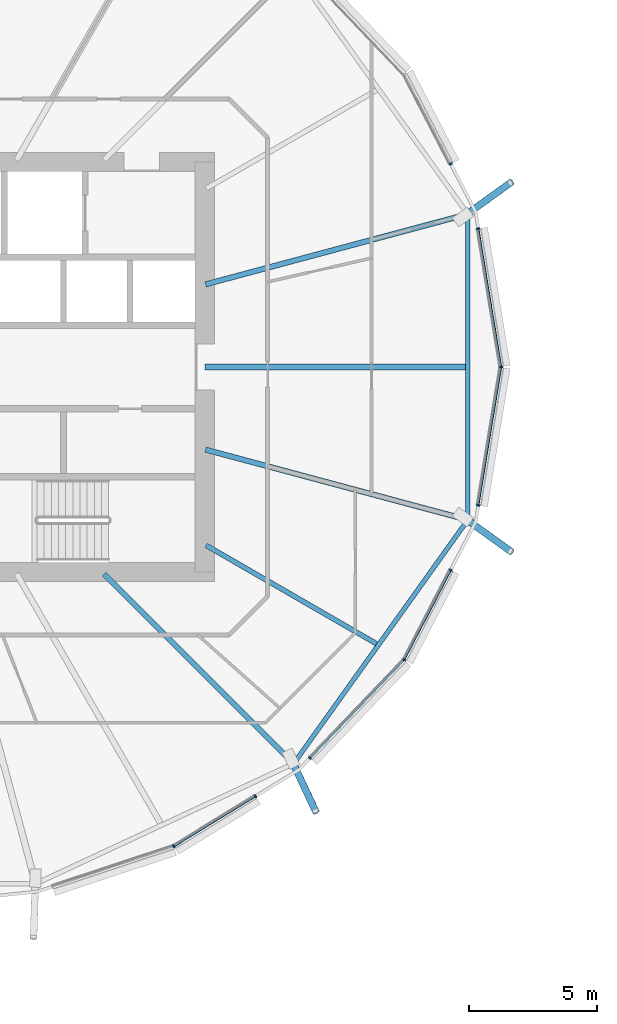
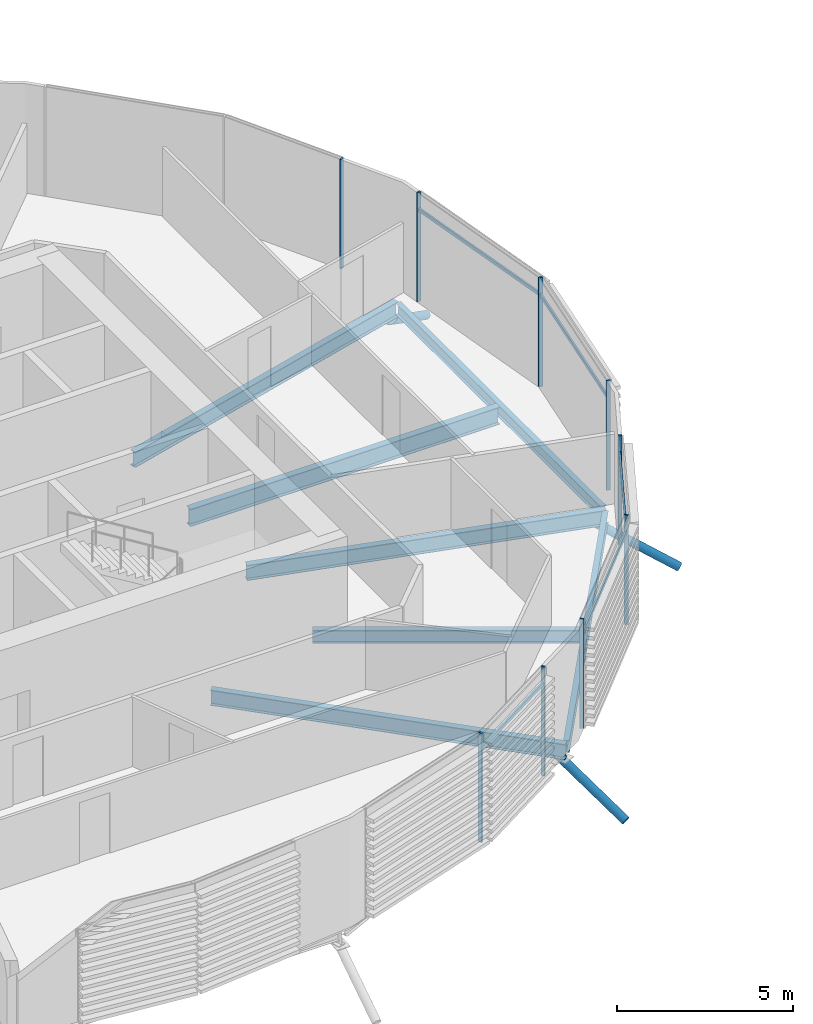
# One storey, part 7 of 39: 17 members, 7 beams, 1 element without a shape of its own.
"""IFC4 building model written with IfcOpenShell, lengths in metres."""

from ifc_helpers import new_model, si_unit, direction, frame, origin, origin_2d, place, context, subcontext, project, spatial, rectangle, hollow_circle, i_section, extrude, clip, halfspace, material, material_profile, profile_set, type_object, element, aggregate, save


model = new_model("IFC4")

# Units and contexts
model_context = context("Model", 3, precision=1e-05, world=origin(), true_north=direction((0.0, 1.0)))
body_context = subcontext(model_context, "Body", "Model", "MODEL_VIEW")
ifc_project = project(units=[si_unit("LENGTHUNIT", "METRE"), si_unit("AREAUNIT", "SQUARE_METRE"), si_unit("VOLUMEUNIT", "CUBIC_METRE"), si_unit("PLANEANGLEUNIT", "RADIAN"), si_unit("MASSUNIT", "GRAM", prefix="KILO")], contexts=[model_context])

# Site, building, storey
site_placement = place(None, origin())
site = spatial("IfcSite", under=ifc_project, at=site_placement, CompositionType="ELEMENT")
building_placement = place(site_placement, origin())
building = spatial("IfcBuilding", under=site, at=building_placement, Name="Rimbun Link Towers", CompositionType="ELEMENT")
storey_placement = place(building_placement, frame((0.0, 0.0, 96.800048828125)))
storey = spatial("IfcBuildingStorey", under=building, at=storey_placement, Name="L23", CompositionType="ELEMENT", Elevation=96.800048828125)

# Curtain wall, members
ifc_material_1 = material(Name="Aluminium 6063-T6 and low-iron glass", Category="aluminium")
curtain_wall_type = type_object("IfcCurtainWallType", Name="CW1-Z2 unitised vision wall (zone 2)", PredefinedType="NOTDEFINED", material=ifc_material_1)
curtain_wall_placement = place(storey_placement, origin())
curtain_wall = element("IfcCurtainWall", 1, at=curtain_wall_placement, inside=storey, type_object=curtain_wall_type, Name="CW1 L23 T1", PredefinedType="NOTDEFINED")
ifc_material_2 = material(Name="Aluminium 6063-T6", Category="aluminium")
ifc_material_profile_1 = material_profile(ifc_material_2, rectangle(XDim=0.1201171875, YDim=0.06005859375, at=origin_2d()), Name="MULLION 60X120")
ifc_profile_set_1 = profile_set([ifc_material_profile_1], Name="Aluminium 6063-T6")
member_type_1 = type_object("IfcMemberType", Name="CW1 mullion 60X120", PredefinedType="MULLION", material=ifc_profile_set_1)
member_1_placement = place(storey_placement, frame((-9.08251953125, 5.39794921875, 0.0), z_axis=(0.0, 0.0, 1.0), x_axis=(0.986748097792, 0.162259642251, 0.0)))
member_1 = element("IfcMember", 2, at=member_1_placement, type_object=member_type_1, Name="CW1 mullion", PredefinedType="MULLION", context=body_context, shape_type="SweptSolid", body=[
    extrude(rectangle(XDim=0.1201171875, YDim=0.06005859375, at=origin_2d()), origin(), (0.0, 0.0, 1.0), 3.800048828125),
])
member_2_placement = place(storey_placement, frame((-8.19580078125, 0.0, 0.0), z_axis=(0.0, 0.0, 1.0), x_axis=(1.0, 0.0, 0.0)))
member_2 = element("IfcMember", 3, at=member_2_placement, type_object=member_type_1, Name="CW1 mullion", PredefinedType="MULLION", context=body_context, shape_type="SweptSolid", body=[
    extrude(rectangle(XDim=0.1201171875, YDim=0.06005859375, at=origin_2d()), origin(), (0.0, 0.0, 1.0), 3.800048828125),
])
member_3_placement = place(storey_placement, frame((-10.158935546875, 7.92236328125, 0.0), z_axis=(0.0, 0.0, 1.0), x_axis=(0.888148629228, 0.45955632125, 0.0)))
member_3 = element("IfcMember", 4, at=member_3_placement, type_object=member_type_1, Name="CW1 mullion", PredefinedType="MULLION", context=body_context, shape_type="SweptSolid", body=[
    extrude(rectangle(XDim=0.1201171875, YDim=0.06005859375, at=origin_2d()), origin(), (0.0, 0.0, 1.0), 3.800048828125),
])
member_4_placement = place(storey_placement, frame((-20.959716796875, -18.699951171875, 0.0), z_axis=(0.0, 0.0, 1.0), x_axis=(0.421698890318, -0.906735929532, 0.0)))
member_4 = element("IfcMember", 5, at=member_4_placement, type_object=member_type_1, Name="CW1 mullion", PredefinedType="MULLION", context=body_context, shape_type="SweptSolid", body=[
    extrude(rectangle(XDim=0.1201171875, YDim=0.06005859375, at=origin_2d()), origin(), (0.0, 0.0, 1.0), 3.800048828125),
])
member_5_placement = place(storey_placement, frame((-17.775390625, -16.7451171875, 0.0), z_axis=(0.0, 0.0, 1.0), x_axis=(0.523239240316, -0.852185835011, 0.0)))
member_5 = element("IfcMember", 6, at=member_5_placement, type_object=member_type_1, Name="CW1 mullion", PredefinedType="MULLION", context=body_context, shape_type="SweptSolid", body=[
    extrude(rectangle(XDim=0.1201171875, YDim=0.06005859375, at=origin_2d()), origin(), (0.0, 0.0, 1.0), 3.800048828125),
])
member_6_placement = place(storey_placement, frame((-11.972412109375, -11.42529296875, 0.0), z_axis=(0.0, 0.0, 1.0), x_axis=(0.813351214919, -0.581772980801, 0.0)))
member_6 = element("IfcMember", 7, at=member_6_placement, type_object=member_type_1, Name="CW1 mullion", PredefinedType="MULLION", context=body_context, shape_type="SweptSolid", body=[
    extrude(rectangle(XDim=0.1201171875, YDim=0.06005859375, at=origin_2d()), origin(), (0.0, 0.0, 1.0), 3.800048828125),
])
member_7_placement = place(storey_placement, frame((-15.643798828125, -15.256103515625, 0.0), z_axis=(0.0, 0.0, 1.0), x_axis=(0.721854427226, -0.692044930546, 0.0)))
member_7 = element("IfcMember", 8, at=member_7_placement, type_object=member_type_1, Name="CW1 mullion", PredefinedType="MULLION", context=body_context, shape_type="SweptSolid", body=[
    extrude(rectangle(XDim=0.1201171875, YDim=0.06005859375, at=origin_2d()), origin(), (0.0, 0.0, 1.0), 3.800048828125),
])
member_8_placement = place(storey_placement, frame((-10.158935546875, -7.92236328125, 0.0), z_axis=(0.0, 0.0, 1.0), x_axis=(0.888148629228, -0.45955632125, 0.0)))
member_8 = element("IfcMember", 9, at=member_8_placement, type_object=member_type_1, Name="CW1 mullion", PredefinedType="MULLION", context=body_context, shape_type="SweptSolid", body=[
    extrude(rectangle(XDim=0.1201171875, YDim=0.06005859375, at=origin_2d()), origin(), (0.0, 0.0, 1.0), 3.800048828125),
])
member_9_placement = place(storey_placement, frame((-9.08251953125, -5.39794921875, 0.0), z_axis=(0.0, 0.0, 1.0), x_axis=(0.986748097792, -0.162259642251, 0.0)))
member_9 = element("IfcMember", 10, at=member_9_placement, type_object=member_type_1, Name="CW1 mullion", PredefinedType="MULLION", context=body_context, shape_type="SweptSolid", body=[
    extrude(rectangle(XDim=0.1201171875, YDim=0.06005859375, at=origin_2d()), origin(), (0.0, 0.0, 1.0), 3.800048828125),
])
ifc_material_3 = material(Name="Aluminium 6063-T6", Category="aluminium")
ifc_material_profile_2 = material_profile(ifc_material_3, rectangle(XDim=0.06005859375, YDim=0.1201171875, at=origin_2d()), Name="TRANSOM 60X120")
ifc_profile_set_2 = profile_set([ifc_material_profile_2], Name="Aluminium 6063-T6")
member_type_2 = type_object("IfcMemberType", Name="CW1 transom 60X120", PredefinedType="USERDEFINED", material=ifc_profile_set_2)
member_10_placement = place(storey_placement, frame((-9.07958984375, 5.367919921875, 3.199951171875), z_axis=(0.162250618428, -0.986749581616, 0.0), x_axis=(0.986749581616, 0.162250618428, 0.0)))
member_10 = element("IfcMember", 11, at=member_10_placement, type_object=member_type_2, Name="CW1 transom", ObjectType="TRANSOM", PredefinedType="USERDEFINED", context=body_context, shape_type="SweptSolid", body=[
    extrude(rectangle(XDim=0.06005859375, YDim=0.1201171875, at=origin_2d()), origin(), (0.0, 0.0, 1.0), 5.400390625),
])
member_11_placement = place(storey_placement, frame((-17.802001953125, -16.75927734375, 3.199951171875), z_axis=(-0.85220609578, -0.523206240707, 0.0), x_axis=(0.523206240707, -0.85220609578, 0.0)))
member_11 = element("IfcMember", 12, at=member_11_placement, type_object=member_type_2, Name="CW1 transom", ObjectType="TRANSOM", PredefinedType="USERDEFINED", context=body_context, shape_type="SweptSolid", body=[
    extrude(rectangle(XDim=0.06005859375, YDim=0.1201171875, at=origin_2d()), origin(), (0.0, 0.0, 1.0), 3.66943359375),
])
member_12_placement = place(storey_placement, frame((-12.0, -11.452392578125, 3.199951171875), z_axis=(-0.692056205714, -0.721843617505, 0.0), x_axis=(0.721843617505, -0.692056205714, 0.0)))
member_12 = element("IfcMember", 13, at=member_12_placement, type_object=member_type_2, Name="CW1 transom", ObjectType="TRANSOM", PredefinedType="USERDEFINED", context=body_context, shape_type="SweptSolid", body=[
    extrude(rectangle(XDim=0.06005859375, YDim=0.1201171875, at=origin_2d()), origin(), (0.0, 0.0, 1.0), 5.2373046875),
])
member_13_placement = place(storey_placement, frame((-10.174560546875, -7.947998046875, 3.199951171875), z_axis=(-0.459541145286, -0.888156481589, 0.0), x_axis=(0.888156481589, -0.459541145286, 0.0)))
member_13 = element("IfcMember", 14, at=member_13_placement, type_object=member_type_2, Name="CW1 transom", ObjectType="TRANSOM", PredefinedType="USERDEFINED", context=body_context, shape_type="SweptSolid", body=[
    extrude(rectangle(XDim=0.06005859375, YDim=0.1201171875, at=origin_2d()), origin(), (0.0, 0.0, 1.0), 3.876220703125),
])
member_14_placement = place(storey_placement, frame((-8.203369140625, -0.0390625, 3.199951171875), z_axis=(-0.162250618428, -0.986749581616, 0.0), x_axis=(0.986749581616, -0.162250618428, 0.0)))
member_14 = element("IfcMember", 15, at=member_14_placement, type_object=member_type_2, Name="CW1 transom", ObjectType="TRANSOM", PredefinedType="USERDEFINED", context=body_context, shape_type="SweptSolid", body=[
    extrude(rectangle(XDim=0.06005859375, YDim=0.1201171875, at=origin_2d()), origin(), (0.0, 0.0, 1.0), 5.400390625),
])
aggregate(curtain_wall, [member_1, member_2, member_3, member_4, member_5, member_6, member_7, member_8, member_9, member_10, member_11, member_12, member_13, member_14])

# Members
ifc_material_4 = material(Name="Steel S355J2H", Category="steel")
ifc_material_profile_3 = material_profile(ifc_material_4, hollow_circle(Radius=0.136474609375, WallThickness=0.012451171875, at=origin_2d()), Name="CHS 273x12.5")
ifc_profile_set_3 = profile_set([ifc_material_profile_3], Name="Steel S355J2H")
member_type_3 = type_object("IfcMemberType", Name="Floor edge link CHS 273x12.5", PredefinedType="BRACE", material=ifc_profile_set_3)
member_15_placement = place(storey_placement, frame((-9.542724609375, 5.950439453125, -0.8115234375), z_axis=(0.706373705577, 0.508640376065, -0.492261267932), x_axis=(-0.584343545284, 0.811506390046, 0.0)))
element("IfcMember", 16, at=member_15_placement, inside=storey, type_object=member_type_3, Name="Floor edge link T1 L23 01", PredefinedType="BRACE", context=body_context, shape_type="Clipping", body=[
    clip(extrude(hollow_circle(Radius=0.136474609375, WallThickness=0.012451171875, at=origin_2d()), frame((0.0, 0.0, -0.5029296875)), (0.0, 0.0, 1.0), 2.977294921875), halfspace(frame((0.0, 0.0, -0.236328125), z_axis=(0.0, 0.87044749646, -0.492261267932)), False)),
])
member_16_placement = place(storey_placement, frame((-16.319580078125, -15.430419921875, -0.811279296875), z_axis=(0.369506350834, -0.786370004575, -0.495062897617), x_axis=(0.905062489084, 0.425278603803, 0.0)))
element("IfcMember", 17, at=member_16_placement, inside=storey, type_object=member_type_3, Name="Floor edge link T1 L23 21", PredefinedType="BRACE", context=body_context, shape_type="Clipping", body=[
    clip(extrude(hollow_circle(Radius=0.136474609375, WallThickness=0.012451171875, at=origin_2d()), frame((0.0, 0.0, -0.499267578125)), (0.0, 0.0, 1.0), 2.953125), halfspace(frame((0.0, 0.0, -0.234619140625), z_axis=(0.0, 0.868857138661, -0.495062897617)), False)),
])
member_17_placement = place(storey_placement, frame((-9.542724609375, -5.950439453125, -0.8115234375), z_axis=(0.706373705577, -0.508640376065, -0.492261267932), x_axis=(0.584343545284, 0.811506390046, 0.0)))
element("IfcMember", 18, at=member_17_placement, inside=storey, type_object=member_type_3, Name="Floor edge link T1 L23 23", PredefinedType="BRACE", context=body_context, shape_type="Clipping", body=[
    clip(extrude(hollow_circle(Radius=0.136474609375, WallThickness=0.012451171875, at=origin_2d()), frame((0.0, 0.0, -0.5029296875)), (0.0, 0.0, 1.0), 2.977294921875), halfspace(frame((0.0, 0.0, -0.236328125), z_axis=(0.0, 0.87044749646, -0.492261267932)), False)),
])

# Beams
ifc_material_5 = material(Name="Steel S355J2", Category="steel")
ifc_material_profile_4 = material_profile(ifc_material_5, i_section(OverallWidth=0.177978515625, OverallDepth=0.406494140625, WebThickness=0.0078125, FlangeThickness=0.0126953125, at=origin_2d()), Name="UB 406x178x60")
ifc_profile_set_4 = profile_set([ifc_material_profile_4], Name="Steel S355J2")
beam_type_1 = type_object("IfcBeamType", Name="UB 406x178x60", PredefinedType="BEAM", material=ifc_profile_set_4)
beam_1_placement = place(storey_placement, frame((-16.221923828125, -15.378662109375, -0.36328125), z_axis=(0.581367171952, 0.813641328459, 0.0), x_axis=(-0.813641328459, 0.581367171952, 0.0)))
element("IfcBeam", 19, at=beam_1_placement, inside=storey, type_object=beam_type_1, Name="Edge beam T1 L23 21-23", PredefinedType="BEAM", context=body_context, shape_type="SweptSolid", body=[
    extrude(i_section(OverallWidth=0.177978515625, OverallDepth=0.406494140625, WebThickness=0.0078125, FlangeThickness=0.0126953125, at=origin_2d()), origin(), (0.0, 0.0, 1.0), 11.458984375),
])
beam_2_placement = place(storey_placement, frame((-9.494384765625, -5.85400390625, -0.36328125), z_axis=(0.0, 1.0, 0.0), x_axis=(-1.0, 0.0, 0.0)))
element("IfcBeam", 20, at=beam_2_placement, inside=storey, type_object=beam_type_1, Name="Edge beam T1 L23 23-01", PredefinedType="BEAM", context=body_context, shape_type="SweptSolid", body=[
    extrude(i_section(OverallWidth=0.177978515625, OverallDepth=0.406494140625, WebThickness=0.0078125, FlangeThickness=0.0126953125, at=origin_2d()), origin(), (0.0, 0.0, 1.0), 11.7080078125),
])
ifc_material_6 = material(Name="Steel S355J2", Category="steel")
ifc_material_profile_5 = material_profile(ifc_material_6, i_section(OverallWidth=0.18994140625, OverallDepth=0.453369140625, WebThickness=0.008544921875, FlangeThickness=0.0126953125, at=origin_2d()), Name="UB 457x191x67")
ifc_profile_set_5 = profile_set([ifc_material_profile_5], Name="Steel S355J2")
beam_type_2 = type_object("IfcBeamType", Name="UB 457x191x67", PredefinedType="BEAM", material=ifc_profile_set_5)
beam_3_placement = place(storey_placement, frame((-19.70166015625, -6.9560546875, -0.38671875), z_axis=(0.866012339475, -0.500022627366, 0.0), x_axis=(0.500022627366, 0.866012339475, 0.0)))
element("IfcBeam", 21, at=beam_3_placement, inside=storey, type_object=beam_type_2, Name="Radial beam T1 L23 22", PredefinedType="BEAM", context=body_context, shape_type="SweptSolid", body=[
    extrude(i_section(OverallWidth=0.18994140625, OverallDepth=0.453369140625, WebThickness=0.008544921875, FlangeThickness=0.0126953125, at=origin_2d()), origin(), (0.0, 0.0, 1.0), 7.674072265625),
])
ifc_material_7 = material(Name="Steel S355J2", Category="steel")
ifc_material_profile_6 = material_profile(ifc_material_7, i_section(OverallWidth=0.209228515625, OverallDepth=0.533203125, WebThickness=0.010009765625, FlangeThickness=0.015625, at=origin_2d()), Name="UB 533x210x92")
ifc_profile_set_6 = profile_set([ifc_material_profile_6], Name="Steel S355J2")
beam_type_3 = type_object("IfcBeamType", Name="UB 533x210x92", PredefinedType="BEAM", material=ifc_profile_set_6)
beam_4_placement = place(storey_placement, frame((-19.721923828125, 3.222900390625, -0.426513671875), z_axis=(0.96592540877, 0.2588206033, 0.0), x_axis=(-0.2588206033, 0.96592540877, 0.0)))
element("IfcBeam", 22, at=beam_4_placement, inside=storey, type_object=beam_type_3, Name="Radial beam T1 L23 01", PredefinedType="BEAM", context=body_context, shape_type="SweptSolid", body=[
    extrude(i_section(OverallWidth=0.209228515625, OverallDepth=0.533203125, WebThickness=0.010009765625, FlangeThickness=0.015625, at=origin_2d()), origin(), (0.0, 0.0, 1.0), 10.58837890625),
])
beam_5_placement = place(storey_placement, frame((-23.67529296875, -8.07470703125, -0.426513671875), z_axis=(0.707106781187, -0.707106781187, 0.0), x_axis=(0.707106781187, 0.707106781187, 0.0)))
element("IfcBeam", 23, at=beam_5_placement, inside=storey, type_object=beam_type_3, Name="Radial beam T1 L23 21", PredefinedType="BEAM", context=body_context, shape_type="SweptSolid", body=[
    extrude(i_section(OverallWidth=0.209228515625, OverallDepth=0.533203125, WebThickness=0.010009765625, FlangeThickness=0.015625, at=origin_2d()), origin(), (0.0, 0.0, 1.0), 10.45263671875),
])
beam_6_placement = place(storey_placement, frame((-19.721923828125, -3.222900390625, -0.426513671875), z_axis=(0.96592540877, -0.2588206033, 0.0), x_axis=(0.2588206033, 0.96592540877, 0.0)))
element("IfcBeam", 24, at=beam_6_placement, inside=storey, type_object=beam_type_3, Name="Radial beam T1 L23 23", PredefinedType="BEAM", context=body_context, shape_type="SweptSolid", body=[
    extrude(i_section(OverallWidth=0.209228515625, OverallDepth=0.533203125, WebThickness=0.010009765625, FlangeThickness=0.015625, at=origin_2d()), origin(), (0.0, 0.0, 1.0), 10.58837890625),
])
ifc_material_8 = material(Name="Steel S355J2", Category="steel")
ifc_material_profile_7 = material_profile(ifc_material_8, i_section(OverallWidth=0.2275390625, OverallDepth=0.6025390625, WebThickness=0.010498046875, FlangeThickness=0.014892578125, at=origin_2d()), Name="UB 610x229x101")
ifc_profile_set_7 = profile_set([ifc_material_profile_7], Name="Steel S355J2")
beam_type_4 = type_object("IfcBeamType", Name="UB 610x229x101", PredefinedType="BEAM", material=ifc_profile_set_7)
beam_7_placement = place(storey_placement, frame((-19.7490234375, 0.0, -0.46142578125), z_axis=(1.0, 0.0, 0.0), x_axis=(0.0, 1.0, 0.0)))
element("IfcBeam", 25, at=beam_7_placement, inside=storey, type_object=beam_type_4, Name="Radial beam T1 L23 00", PredefinedType="BEAM", context=body_context, shape_type="SweptSolid", body=[
    extrude(i_section(OverallWidth=0.2275390625, OverallDepth=0.6025390625, WebThickness=0.010498046875, FlangeThickness=0.014892578125, at=origin_2d()), origin(), (0.0, 0.0, 1.0), 10.16455078125),
])

save(model, "model.ifc")
